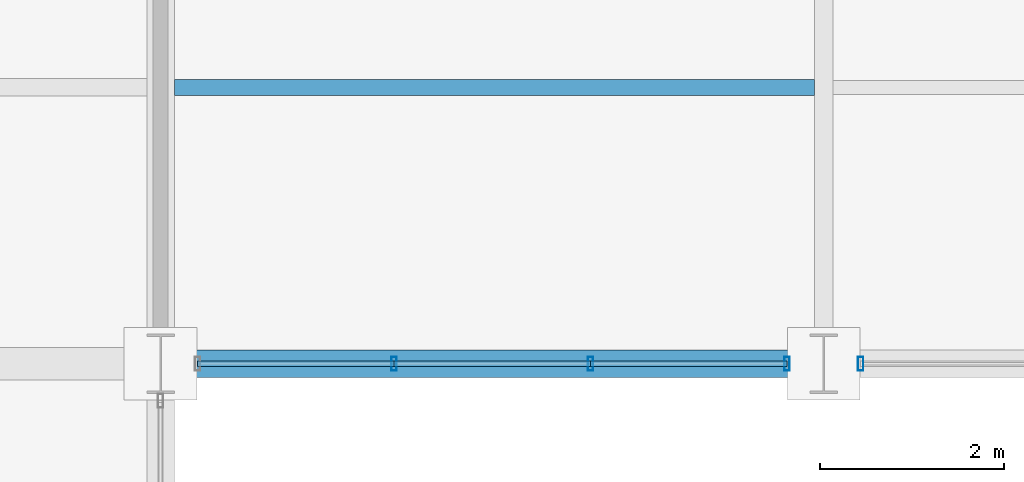
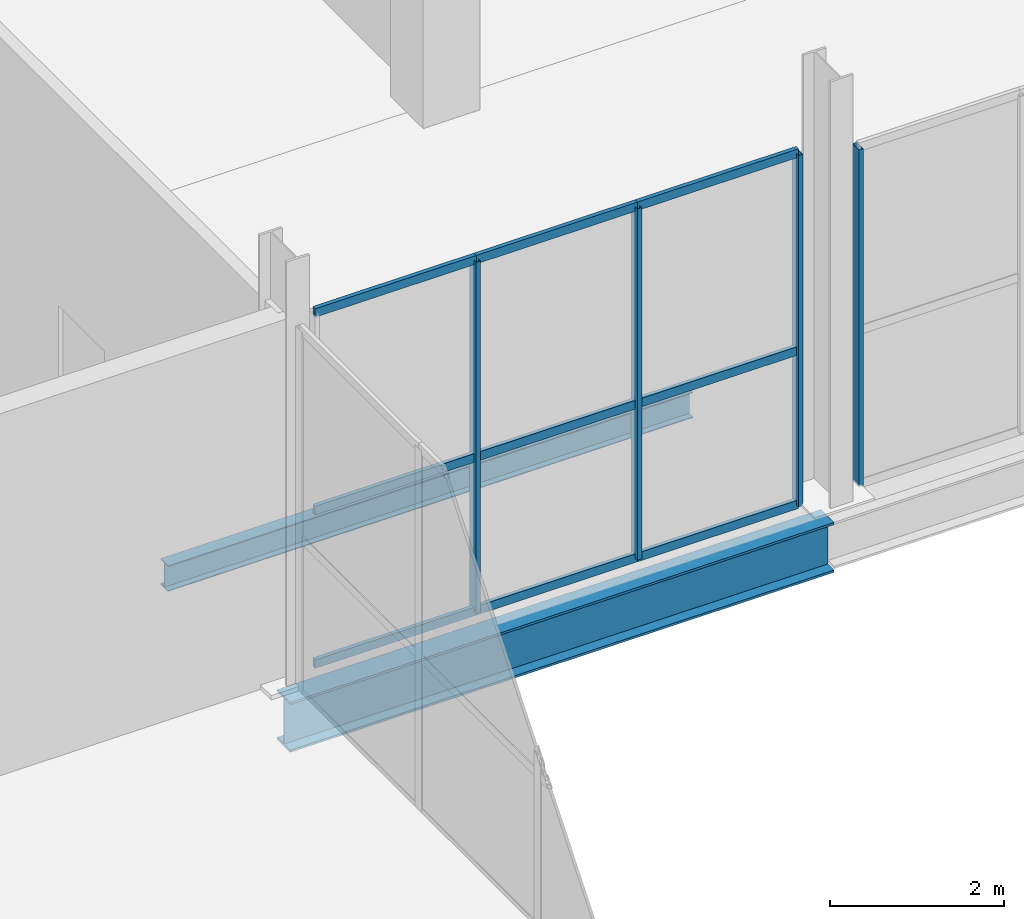
# One storey, part 53 of 144: 13 members, 2 beams, 2 elements without a shape of their own.
"""IFC4 building model written with IfcOpenShell, lengths in metres."""

from ifc_helpers import new_model, si_unit, direction, frame, origin, origin_2d, place, context, subcontext, project, spatial, hollow_rectangle, i_section, extrude, material, layer, layer_set, material_profile, profile_set, type_object, element, aggregate, save


model = new_model("IFC4")

# Units and contexts
model_context = context("Model", 3, precision=1e-05, world=origin(), true_north=direction((0.0, 1.0)))
body_context = subcontext(model_context, "Body", "Model", "MODEL_VIEW")
ifc_project = project(units=[si_unit("LENGTHUNIT", "METRE"), si_unit("AREAUNIT", "SQUARE_METRE"), si_unit("VOLUMEUNIT", "CUBIC_METRE"), si_unit("PLANEANGLEUNIT", "RADIAN"), si_unit("MASSUNIT", "GRAM", prefix="KILO")], contexts=[model_context])

# Site, building, storey
site_placement = place(None, origin())
site = spatial("IfcSite", under=ifc_project, at=site_placement, CompositionType="ELEMENT")
building_placement = place(site_placement, origin())
building = spatial("IfcBuilding", under=site, at=building_placement, Name="Sundgate Opera House", CompositionType="ELEMENT")
storey_placement = place(building_placement, origin())
storey = spatial("IfcBuildingStorey", under=building, at=storey_placement, Name="L00", CompositionType="ELEMENT", Elevation=0.0)

# Beams
ifc_material_1 = material(Name="Steel S355J2", Category="steel")
ifc_material_profile_1 = material_profile(ifc_material_1, i_section(OverallWidth=0.300048828125, OverallDepth=0.699951171875, WebThickness=0.01708984375, FlangeThickness=0.031982421875, at=origin_2d()), Name="HEB 700")
ifc_profile_set_1 = profile_set([ifc_material_profile_1], Name="Steel S355J2")
beam_type_1 = type_object("IfcBeamType", Name="BM-GR-HEB700", PredefinedType="BEAM", material=ifc_profile_set_1)
beam_1_placement = place(storey_placement, frame((117.0, 60.0, -0.669921875), z_axis=(1.0, 0.0, 0.0), x_axis=(0.0, 1.0, 0.0)))
element("IfcBeam", 1, at=beam_1_placement, inside=storey, type_object=beam_type_1, Name="L00 Primary E-W Girder B0454", PredefinedType="BEAM", context=body_context, shape_type="SweptSolid", body=[
    extrude(i_section(OverallWidth=0.300048828125, OverallDepth=0.699951171875, WebThickness=0.01708984375, FlangeThickness=0.031982421875, at=origin_2d()), origin(), (0.0, 0.0, 1.0), 7.199951171875),
])
ifc_material_2 = material(Name="Steel S355J2", Category="steel")
ifc_material_profile_2 = material_profile(ifc_material_2, i_section(OverallWidth=0.169921875, OverallDepth=0.360107421875, WebThickness=0.008056640625, FlangeThickness=0.0126953125, at=origin_2d()), Name="IPE 360")
ifc_profile_set_2 = profile_set([ifc_material_profile_2], Name="Steel S355J2")
beam_type_2 = type_object("IfcBeamType", Name="BM-JS-IPE360", PredefinedType="JOIST", material=ifc_profile_set_2)
beam_2_placement = place(storey_placement, frame((117.14990234375, 63.0, -0.5), z_axis=(1.0, 0.0, 0.0), x_axis=(0.0, 1.0, 0.0)))
element("IfcBeam", 2, at=beam_2_placement, inside=storey, type_object=beam_type_2, Name="L00 Secondary Floor Joist B0828", PredefinedType="JOIST", context=body_context, shape_type="SweptSolid", body=[
    extrude(i_section(OverallWidth=0.169921875, OverallDepth=0.360107421875, WebThickness=0.008056640625, FlangeThickness=0.0126953125, at=origin_2d()), origin(), (0.0, 0.0, 1.0), 6.9501953125),
])

# Curtain wall, members
ifc_material_3 = material(Name="Anodized aluminium and low-iron glass", Category="aluminium")
ifc_layer = layer(ifc_material_3, 0.159912109375)
ifc_layer_set = layer_set([ifc_layer], Name="Anodized aluminium and low-iron glass")
curtain_wall_type = type_object("IfcCurtainWallType", Name="CW-STUDIO-DARK", PredefinedType="NOTDEFINED", material=ifc_layer_set)
curtain_wall_1_placement = place(storey_placement, origin())
curtain_wall_1 = element("IfcCurtainWall", 3, at=curtain_wall_1_placement, inside=storey, type_object=curtain_wall_type, Name="L00 Curtain Wall CW035", PredefinedType="NOTDEFINED")
ifc_material_4 = material(Name="Anodized aluminium EN AW-6063", Category="aluminium")
ifc_material_profile_3 = material_profile(ifc_material_4, hollow_rectangle(XDim=0.06005859375, YDim=0.14990234375, WallThickness=0.00390625, at=origin_2d()), Name="CWM 150x60x4")
ifc_profile_set_3 = profile_set([ifc_material_profile_3], Name="Anodized aluminium EN AW-6063")
member_type_1 = type_object("IfcMemberType", Name="CWM-ALU-150x60", PredefinedType="MULLION", material=ifc_profile_set_3)
member_1_placement = place(storey_placement, frame((123.800048828125, 60.0, 0.0), z_axis=(0.0, 0.0, 1.0), x_axis=(1.0, 0.0, 0.0)))
member_1 = element("IfcMember", 4, at=member_1_placement, type_object=member_type_1, Name="CW035 Mullion 1", PredefinedType="MULLION", context=body_context, shape_type="SweptSolid", body=[
    extrude(hollow_rectangle(XDim=0.06005859375, YDim=0.14990234375, WallThickness=0.00390625, at=origin_2d()), origin(), (0.0, 0.0, 1.0), 4.9150390625),
])
member_2_placement = place(storey_placement, frame((121.666748046875, 60.0, 0.0), z_axis=(0.0, 0.0, 1.0), x_axis=(1.0, 0.0, 0.0)))
member_2 = element("IfcMember", 5, at=member_2_placement, type_object=member_type_1, Name="CW035 Mullion 2", PredefinedType="MULLION", context=body_context, shape_type="SweptSolid", body=[
    extrude(hollow_rectangle(XDim=0.06005859375, YDim=0.14990234375, WallThickness=0.00390625, at=origin_2d()), origin(), (0.0, 0.0, 1.0), 4.9150390625),
])
member_3_placement = place(storey_placement, frame((119.533447265625, 60.0, 0.0), z_axis=(0.0, 0.0, 1.0), x_axis=(1.0, 0.0, 0.0)))
member_3 = element("IfcMember", 6, at=member_3_placement, type_object=member_type_1, Name="CW035 Mullion 3", PredefinedType="MULLION", context=body_context, shape_type="SweptSolid", body=[
    extrude(hollow_rectangle(XDim=0.06005859375, YDim=0.14990234375, WallThickness=0.00390625, at=origin_2d()), origin(), (0.0, 0.0, 1.0), 4.9150390625),
])

# Curtain wall, member
curtain_wall_2_placement = place(storey_placement, origin())
curtain_wall_2 = element("IfcCurtainWall", 7, at=curtain_wall_2_placement, inside=storey, type_object=curtain_wall_type, Name="L00 Curtain Wall CW037", PredefinedType="NOTDEFINED")
member_4_placement = place(storey_placement, frame((124.60009765625, 60.0, 0.0), z_axis=(0.0, 0.0, 1.0), x_axis=(1.0, 0.0, 0.0)))
member_4 = element("IfcMember", 8, at=member_4_placement, type_object=member_type_1, Name="CW037 Mullion 4", PredefinedType="MULLION", context=body_context, shape_type="SweptSolid", body=[
    extrude(hollow_rectangle(XDim=0.06005859375, YDim=0.14990234375, WallThickness=0.00390625, at=origin_2d()), origin(), (0.0, 0.0, 1.0), 4.715087890625),
])
aggregate(curtain_wall_2, [member_4])

# Member
ifc_material_5 = material(Name="Anodized aluminium EN AW-6063", Category="aluminium")
ifc_material_profile_4 = material_profile(ifc_material_5, hollow_rectangle(XDim=0.054931640625, YDim=0.1201171875, WallThickness=0.00390625, at=origin_2d()), Name="CWT 120x55x4")
ifc_profile_set_4 = profile_set([ifc_material_profile_4], Name="Anodized aluminium EN AW-6063")
member_type_2 = type_object("IfcMemberType", Name="CWT-ALU-120x55", PredefinedType="USERDEFINED", material=ifc_profile_set_4)
member_5_placement = place(storey_placement, frame((123.800048828125, 60.0, 0.0), z_axis=(-1.0, 0.0, 0.0), x_axis=(0.0, -1.0, 0.0)))
member_5 = element("IfcMember", 9, at=member_5_placement, type_object=member_type_2, Name="CW035 Transom 1", ObjectType="TRANSOM", PredefinedType="USERDEFINED", context=body_context, shape_type="SweptSolid", body=[
    extrude(hollow_rectangle(XDim=0.054931640625, YDim=0.1201171875, WallThickness=0.00390625, at=origin_2d()), origin(), (0.0, 0.0, 1.0), 2.13330078125),
])

member_6_placement = place(storey_placement, frame((123.800048828125, 60.0, 2.14990234375), z_axis=(-1.0, 0.0, 0.0), x_axis=(0.0, -1.0, 0.0)))
member_6 = element("IfcMember", 10, at=member_6_placement, type_object=member_type_2, Name="CW035 Transom 2", ObjectType="TRANSOM", PredefinedType="USERDEFINED", context=body_context, shape_type="SweptSolid", body=[
    extrude(hollow_rectangle(XDim=0.054931640625, YDim=0.1201171875, WallThickness=0.00390625, at=origin_2d()), origin(), (0.0, 0.0, 1.0), 2.13330078125),
])

member_7_placement = place(storey_placement, frame((123.800048828125, 60.0, 4.9150390625), z_axis=(-1.0, 0.0, 0.0), x_axis=(0.0, -1.0, 0.0)))
member_7 = element("IfcMember", 11, at=member_7_placement, type_object=member_type_2, Name="CW035 Transom 3", ObjectType="TRANSOM", PredefinedType="USERDEFINED", context=body_context, shape_type="SweptSolid", body=[
    extrude(hollow_rectangle(XDim=0.054931640625, YDim=0.1201171875, WallThickness=0.00390625, at=origin_2d()), origin(), (0.0, 0.0, 1.0), 2.13330078125),
])

member_8_placement = place(storey_placement, frame((121.666748046875, 60.0, 0.0), z_axis=(-1.0, 0.0, 0.0), x_axis=(0.0, -1.0, 0.0)))
member_8 = element("IfcMember", 12, at=member_8_placement, type_object=member_type_2, Name="CW035 Transom 4", ObjectType="TRANSOM", PredefinedType="USERDEFINED", context=body_context, shape_type="SweptSolid", body=[
    extrude(hollow_rectangle(XDim=0.054931640625, YDim=0.1201171875, WallThickness=0.00390625, at=origin_2d()), origin(), (0.0, 0.0, 1.0), 2.13330078125),
])

member_9_placement = place(storey_placement, frame((121.666748046875, 60.0, 2.14990234375), z_axis=(-1.0, 0.0, 0.0), x_axis=(0.0, -1.0, 0.0)))
member_9 = element("IfcMember", 13, at=member_9_placement, type_object=member_type_2, Name="CW035 Transom 5", ObjectType="TRANSOM", PredefinedType="USERDEFINED", context=body_context, shape_type="SweptSolid", body=[
    extrude(hollow_rectangle(XDim=0.054931640625, YDim=0.1201171875, WallThickness=0.00390625, at=origin_2d()), origin(), (0.0, 0.0, 1.0), 2.13330078125),
])

member_10_placement = place(storey_placement, frame((121.666748046875, 60.0, 4.9150390625), z_axis=(-1.0, 0.0, 0.0), x_axis=(0.0, -1.0, 0.0)))
member_10 = element("IfcMember", 14, at=member_10_placement, type_object=member_type_2, Name="CW035 Transom 6", ObjectType="TRANSOM", PredefinedType="USERDEFINED", context=body_context, shape_type="SweptSolid", body=[
    extrude(hollow_rectangle(XDim=0.054931640625, YDim=0.1201171875, WallThickness=0.00390625, at=origin_2d()), origin(), (0.0, 0.0, 1.0), 2.13330078125),
])

member_11_placement = place(storey_placement, frame((119.533447265625, 60.0, 0.0), z_axis=(-1.0, 0.0, 0.0), x_axis=(0.0, -1.0, 0.0)))
member_11 = element("IfcMember", 15, at=member_11_placement, type_object=member_type_2, Name="CW035 Transom 7", ObjectType="TRANSOM", PredefinedType="USERDEFINED", context=body_context, shape_type="SweptSolid", body=[
    extrude(hollow_rectangle(XDim=0.054931640625, YDim=0.1201171875, WallThickness=0.00390625, at=origin_2d()), origin(), (0.0, 0.0, 1.0), 2.133544921875),
])

member_12_placement = place(storey_placement, frame((119.533447265625, 60.0, 2.14990234375), z_axis=(-1.0, 0.0, 0.0), x_axis=(0.0, -1.0, 0.0)))
member_12 = element("IfcMember", 16, at=member_12_placement, type_object=member_type_2, Name="CW035 Transom 8", ObjectType="TRANSOM", PredefinedType="USERDEFINED", context=body_context, shape_type="SweptSolid", body=[
    extrude(hollow_rectangle(XDim=0.054931640625, YDim=0.1201171875, WallThickness=0.00390625, at=origin_2d()), origin(), (0.0, 0.0, 1.0), 2.133544921875),
])

member_13_placement = place(storey_placement, frame((119.533447265625, 60.0, 4.9150390625), z_axis=(-1.0, 0.0, 0.0), x_axis=(0.0, -1.0, 0.0)))
member_13 = element("IfcMember", 17, at=member_13_placement, type_object=member_type_2, Name="CW035 Transom 9", ObjectType="TRANSOM", PredefinedType="USERDEFINED", context=body_context, shape_type="SweptSolid", body=[
    extrude(hollow_rectangle(XDim=0.054931640625, YDim=0.1201171875, WallThickness=0.00390625, at=origin_2d()), origin(), (0.0, 0.0, 1.0), 2.133544921875),
])

aggregate(curtain_wall_1, [member_1, member_2, member_3, member_5, member_6, member_7, member_8, member_9, member_10, member_11, member_12, member_13])

save(model, "model.ifc")
